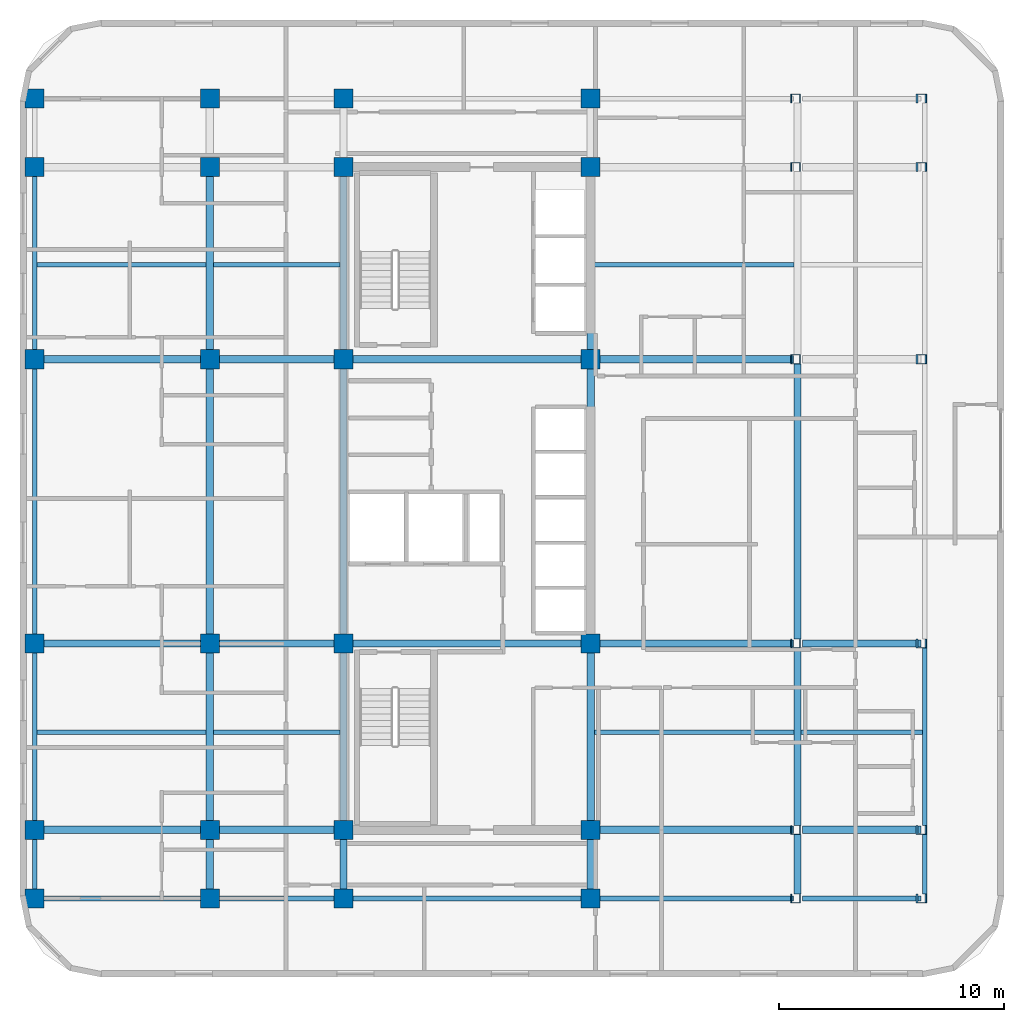
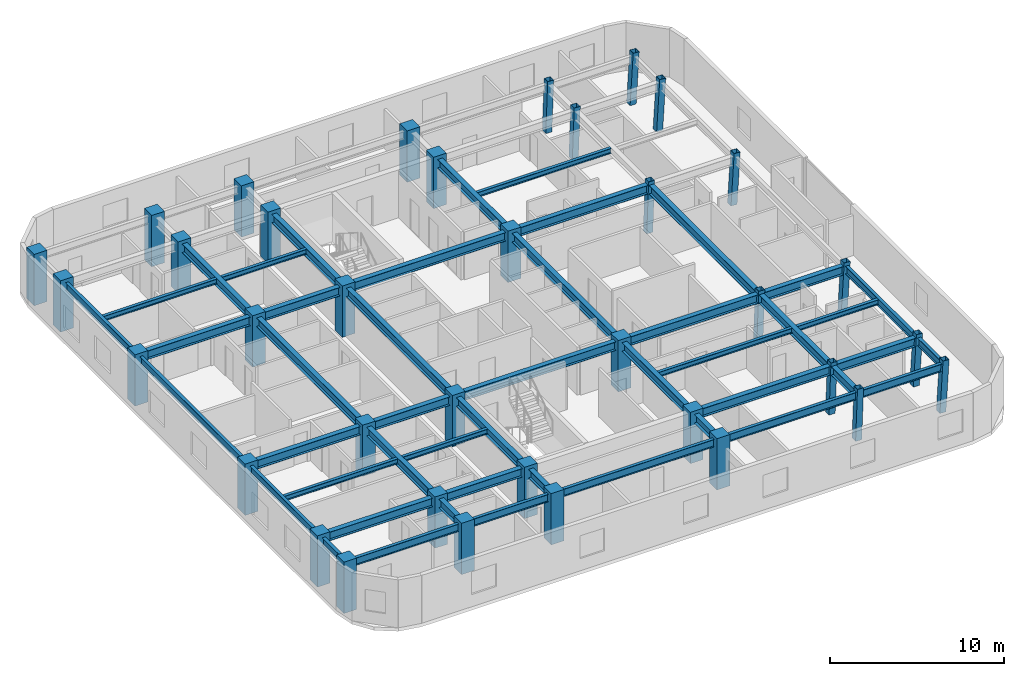
# One storey, part 1 of 9: 46 beams, 36 columns.
"""IFC4 building model written with IfcOpenShell, lengths in metres."""

from ifc_helpers import new_model, si_unit, direction, frame, origin, origin_2d, place, context, subcontext, project, spatial, rectangle, hollow_rectangle, i_section, extrude, material, material_profile, profile_set, type_object, element, save


model = new_model("IFC4")

# Units and contexts
model_context = context("Model", 3, precision=1e-05, world=origin(), true_north=direction((0.0, 1.0)))
body_context = subcontext(model_context, "Body", "Model", "MODEL_VIEW")
ifc_project = project(units=[si_unit("LENGTHUNIT", "METRE"), si_unit("AREAUNIT", "SQUARE_METRE"), si_unit("VOLUMEUNIT", "CUBIC_METRE"), si_unit("PLANEANGLEUNIT", "RADIAN"), si_unit("MASSUNIT", "GRAM", prefix="KILO")], contexts=[model_context])

# Site, building, storey
site_placement = place(None, origin())
site = spatial("IfcSite", under=ifc_project, at=site_placement, CompositionType="ELEMENT")
building_placement = place(site_placement, origin())
building = spatial("IfcBuilding", under=site, at=building_placement, Name="Ochreholt Gables", CompositionType="ELEMENT")
storey_placement = place(building_placement, frame((0.0, 0.0, 124.800048828125)))
storey = spatial("IfcBuildingStorey", under=building, at=storey_placement, Name="L32", CompositionType="ELEMENT", Elevation=124.800048828125)

# Columns
ifc_material_1 = material(Name="Steel CSA G40.21 350W", Category="steel")
ifc_material_profile_1 = material_profile(ifc_material_1, hollow_rectangle(XDim=0.406005859375, YDim=0.406005859375, WallThickness=0.01611328125, at=origin_2d()), Name="HSS406X406X16")
ifc_profile_set_1 = profile_set([ifc_material_profile_1], Name="Steel CSA G40.21 350W")
column_type_1 = type_object("IfcColumnType", Name="COL-HSS406-RAK", PredefinedType="COLUMN", material=ifc_profile_set_1)
for number, where, z_axis, x_axis, name in (
    (1, (44.303955078125, 9.25, 0.0), (0.034973505036, 0.0, 0.999388239847), (0.0, 1.0, 0.0), "L32 Column EMY2"),
    (2, (44.303955078125, 17.550048828125, 0.0), (0.034973505036, 0.0, 0.999388239847), (0.0, 1.0, 0.0), "L32 Column EMY3"),
    (3, (44.303955078125, 30.199951171875, 0.0), (0.034973505036, 0.0, 0.999388239847), (0.0, 1.0, 0.0), "L32 Column EMY4"),
    (4, (44.303955078125, 38.75, 0.0), (0.034973505036, 0.0, 0.999388239847), (0.0, 1.0, 0.0), "L32 Column EMY5"),
):
    element("IfcColumn", number, at=place(storey_placement, frame(where, z_axis=z_axis, x_axis=x_axis)), inside=storey, type_object=column_type_1, Name=name, PredefinedType="COLUMN", context=body_context, shape_type="SweptSolid", body=[
        extrude(hollow_rectangle(XDim=0.406005859375, YDim=0.406005859375, WallThickness=0.01611328125, at=origin_2d()), origin(), (0.0, 0.0, 1.0), 3.60205078125),
    ])
ifc_material_profile_2 = material_profile(ifc_material_1, hollow_rectangle(XDim=0.406005859375, YDim=0.406005859375, WallThickness=0.01611328125, at=origin_2d()), Name="HSS406X406X16")
ifc_profile_set_2 = profile_set([ifc_material_profile_2], Name="Steel CSA G40.21 350W")
column_type_2 = type_object("IfcColumnType", Name="COL-HSS406-RAKE", PredefinedType="COLUMN", material=ifc_profile_set_2)
for number, where, z_axis, x_axis, name in (
    (5, (44.303955078125, 6.199951171875, 0.0), (0.034973505036, 0.0, 0.999388239847), (0.0, 1.0, 0.0), "L32 Column EMY1"),
    (6, (44.303955078125, 41.800048828125, 0.0), (0.034973505036, 0.0, 0.999388239847), (0.0, 1.0, 0.0), "L32 Column EMY6"),
):
    element("IfcColumn", number, at=place(storey_placement, frame(where, z_axis=z_axis, x_axis=x_axis)), inside=storey, type_object=column_type_2, Name=name, PredefinedType="COLUMN", context=body_context, shape_type="SweptSolid", body=[
        extrude(hollow_rectangle(XDim=0.406005859375, YDim=0.406005859375, WallThickness=0.01611328125, at=origin_2d()), origin(), (0.0, 0.0, 1.0), 3.60205078125),
    ])
for number, where, z_axis, x_axis, name in (
    (7, (49.895263671875, 6.199951171875, 0.0), (0.057888518877, 0.0, 0.998323053617), (0.0, 1.0, 0.0), "L32 Column EEY1"),
    (8, (49.895263671875, 9.25, 0.0), (0.057888518877, 0.0, 0.998323053617), (0.0, 1.0, 0.0), "L32 Column EEY2"),
    (9, (49.895263671875, 17.550048828125, 0.0), (0.057888518877, 0.0, 0.998323053617), (0.0, 1.0, 0.0), "L32 Column EEY3"),
    (10, (49.895263671875, 30.199951171875, 0.0), (0.057888518877, 0.0, 0.998323053617), (0.0, 1.0, 0.0), "L32 Column EEY4"),
    (11, (49.895263671875, 38.75, 0.0), (0.057888518877, 0.0, 0.998323053617), (0.0, 1.0, 0.0), "L32 Column EEY5"),
    (12, (49.895263671875, 41.800048828125, 0.0), (0.057888518877, 0.0, 0.998323053617), (0.0, 1.0, 0.0), "L32 Column EEY6"),
):
    element("IfcColumn", number, at=place(storey_placement, frame(where, z_axis=z_axis, x_axis=x_axis)), inside=storey, type_object=column_type_2, Name=name, PredefinedType="COLUMN", context=body_context, shape_type="SweptSolid", body=[
        extrude(hollow_rectangle(XDim=0.406005859375, YDim=0.406005859375, WallThickness=0.01611328125, at=origin_2d()), origin(), (0.0, 0.0, 1.0), 3.60595703125),
    ])
ifc_material_2 = material(Name="Concrete 60 MPa", Category="concrete")
ifc_material_profile_3 = material_profile(ifc_material_2, rectangle(XDim=0.85009765625, YDim=0.85009765625, at=origin_2d()), Name="RC850X850")
ifc_profile_set_3 = profile_set([ifc_material_profile_3], Name="Concrete 60 MPa")
column_type_3 = type_object("IfcColumnType", Name="COL-RC850-EXT", PredefinedType="COLUMN", material=ifc_profile_set_3)
for number, where, z_axis, x_axis, name in (
    (13, (10.449951171875, 6.199951171875, 0.0), (0.0, 0.0, 1.0), (1.0, 0.0, 0.0), "L32 Column W2Y1"),
    (14, (10.449951171875, 9.25, 0.0), (0.0, 0.0, 1.0), (1.0, 0.0, 0.0), "L32 Column W2Y2"),
    (15, (10.449951171875, 17.550048828125, 0.0), (0.0, 0.0, 1.0), (1.0, 0.0, 0.0), "L32 Column W2Y3"),
    (16, (10.449951171875, 30.199951171875, 0.0), (0.0, 0.0, 1.0), (1.0, 0.0, 0.0), "L32 Column W2Y4"),
    (17, (10.449951171875, 38.75, 0.0), (0.0, 0.0, 1.0), (1.0, 0.0, 0.0), "L32 Column W2Y5"),
    (18, (10.449951171875, 41.800048828125, 0.0), (0.0, 0.0, 1.0), (1.0, 0.0, 0.0), "L32 Column W2Y6"),
    (19, (18.25, 6.199951171875, 0.0), (0.0, 0.0, 1.0), (1.0, 0.0, 0.0), "L32 Column W3Y1"),
    (20, (18.25, 41.800048828125, 0.0), (0.0, 0.0, 1.0), (1.0, 0.0, 0.0), "L32 Column W3Y6"),
    (21, (24.199951171875, 6.199951171875, 0.0), (0.0, 0.0, 1.0), (1.0, 0.0, 0.0), "L32 Column C1Y1"),
    (22, (24.199951171875, 41.800048828125, 0.0), (0.0, 0.0, 1.0), (1.0, 0.0, 0.0), "L32 Column C1Y6"),
    (23, (35.199951171875, 6.199951171875, 0.0), (0.0, 0.0, 1.0), (1.0, 0.0, 0.0), "L32 Column C2Y1"),
    (24, (35.199951171875, 41.800048828125, 0.0), (0.0, 0.0, 1.0), (1.0, 0.0, 0.0), "L32 Column C2Y6"),
):
    element("IfcColumn", number, at=place(storey_placement, frame(where, z_axis=z_axis, x_axis=x_axis)), inside=storey, type_object=column_type_3, Name=name, PredefinedType="COLUMN", context=body_context, shape_type="SweptSolid", body=[
        extrude(rectangle(XDim=0.85009765625, YDim=0.85009765625, at=origin_2d()), origin(), (0.0, 0.0, 1.0), 3.599853515625),
    ])
ifc_material_profile_4 = material_profile(ifc_material_2, rectangle(XDim=0.85009765625, YDim=0.85009765625, at=origin_2d()), Name="RC850X850")
ifc_profile_set_4 = profile_set([ifc_material_profile_4], Name="Concrete 60 MPa")
column_type_4 = type_object("IfcColumnType", Name="COL-RC850-INT", PredefinedType="COLUMN", material=ifc_profile_set_4)
for number, where, z_axis, x_axis, name in (
    (25, (18.25, 9.25, 0.0), (0.0, 0.0, 1.0), (1.0, 0.0, 0.0), "L32 Column W3Y2"),
    (26, (18.25, 17.550048828125, 0.0), (0.0, 0.0, 1.0), (1.0, 0.0, 0.0), "L32 Column W3Y3"),
    (27, (18.25, 30.199951171875, 0.0), (0.0, 0.0, 1.0), (1.0, 0.0, 0.0), "L32 Column W3Y4"),
    (28, (18.25, 38.75, 0.0), (0.0, 0.0, 1.0), (1.0, 0.0, 0.0), "L32 Column W3Y5"),
    (29, (24.199951171875, 9.25, 0.0), (0.0, 0.0, 1.0), (1.0, 0.0, 0.0), "L32 Column C1Y2"),
    (30, (24.199951171875, 17.550048828125, 0.0), (0.0, 0.0, 1.0), (1.0, 0.0, 0.0), "L32 Column C1Y3"),
    (31, (24.199951171875, 30.199951171875, 0.0), (0.0, 0.0, 1.0), (1.0, 0.0, 0.0), "L32 Column C1Y4"),
    (32, (24.199951171875, 38.75, 0.0), (0.0, 0.0, 1.0), (1.0, 0.0, 0.0), "L32 Column C1Y5"),
    (33, (35.199951171875, 9.25, 0.0), (0.0, 0.0, 1.0), (1.0, 0.0, 0.0), "L32 Column C2Y2"),
    (34, (35.199951171875, 17.550048828125, 0.0), (0.0, 0.0, 1.0), (1.0, 0.0, 0.0), "L32 Column C2Y3"),
    (35, (35.199951171875, 30.199951171875, 0.0), (0.0, 0.0, 1.0), (1.0, 0.0, 0.0), "L32 Column C2Y4"),
    (36, (35.199951171875, 38.75, 0.0), (0.0, 0.0, 1.0), (1.0, 0.0, 0.0), "L32 Column C2Y5"),
):
    element("IfcColumn", number, at=place(storey_placement, frame(where, z_axis=z_axis, x_axis=x_axis)), inside=storey, type_object=column_type_4, Name=name, PredefinedType="COLUMN", context=body_context, shape_type="SweptSolid", body=[
        extrude(rectangle(XDim=0.85009765625, YDim=0.85009765625, at=origin_2d()), origin(), (0.0, 0.0, 1.0), 3.599853515625),
    ])

# Beams
ifc_material_profile_5 = material_profile(ifc_material_1, i_section(OverallWidth=0.323974609375, OverallDepth=0.611083984375, WebThickness=0.0126953125, FlangeThickness=0.01904296875, at=origin_2d()), Name="W610X155")
ifc_profile_set_5 = profile_set([ifc_material_profile_5], Name="Steel CSA G40.21 350W")
beam_type_1 = type_object("IfcBeamType", Name="BM-G-W610A", PredefinedType="BEAM", material=ifc_profile_set_5)
beam_1_placement = place(storey_placement, frame((10.87451171875, 9.25, 3.054443359375), z_axis=(1.0, 0.0, 0.0), x_axis=(0.0, 1.0, 0.0)))
element("IfcBeam", 37, at=beam_1_placement, inside=storey, type_object=beam_type_1, Name="L32 Beam TBG-L32-W2W3-Y2", PredefinedType="BEAM", context=body_context, shape_type="SweptSolid", body=[
    extrude(i_section(OverallWidth=0.323974609375, OverallDepth=0.611083984375, WebThickness=0.0126953125, FlangeThickness=0.01904296875, at=origin_2d()), origin(), (0.0, 0.0, 1.0), 6.950927734375),
])
beam_2_placement = place(storey_placement, frame((18.674560546875, 9.25, 3.054443359375), z_axis=(1.0, 0.0, 0.0), x_axis=(0.0, 1.0, 0.0)))
element("IfcBeam", 38, at=beam_2_placement, inside=storey, type_object=beam_type_1, Name="L32 Beam TBG-L32-W3C1-Y2", PredefinedType="BEAM", context=body_context, shape_type="SweptSolid", body=[
    extrude(i_section(OverallWidth=0.323974609375, OverallDepth=0.611083984375, WebThickness=0.0126953125, FlangeThickness=0.01904296875, at=origin_2d()), origin(), (0.0, 0.0, 1.0), 5.100830078125),
])
beam_3_placement = place(storey_placement, frame((35.62451171875, 9.25, 3.054443359375), z_axis=(1.0, 0.0, 0.0), x_axis=(0.0, 1.0, 0.0)))
element("IfcBeam", 39, at=beam_3_placement, inside=storey, type_object=beam_type_1, Name="L32 Beam TBG-L32-C2EM-Y2", PredefinedType="BEAM", context=body_context, shape_type="SweptSolid", body=[
    extrude(i_section(OverallWidth=0.323974609375, OverallDepth=0.611083984375, WebThickness=0.0126953125, FlangeThickness=0.01904296875, at=origin_2d()), origin(), (0.0, 0.0, 1.0), 8.602783203125),
])
beam_4_placement = place(storey_placement, frame((44.632568359375, 9.25, 3.054443359375), z_axis=(1.0, 0.0, 0.0), x_axis=(0.0, 1.0, 0.0)))
element("IfcBeam", 40, at=beam_4_placement, inside=storey, type_object=beam_type_1, Name="L32 Beam TBG-L32-EMEE-Y2", PredefinedType="BEAM", context=body_context, shape_type="SweptSolid", body=[
    extrude(i_section(OverallWidth=0.323974609375, OverallDepth=0.611083984375, WebThickness=0.0126953125, FlangeThickness=0.01904296875, at=origin_2d()), origin(), (0.0, 0.0, 1.0), 5.268798828125),
])
beam_5_placement = place(storey_placement, frame((10.87451171875, 17.550048828125, 3.054443359375), z_axis=(1.0, 0.0, 0.0), x_axis=(0.0, 1.0, 0.0)))
element("IfcBeam", 41, at=beam_5_placement, inside=storey, type_object=beam_type_1, Name="L32 Beam TBG-L32-W2W3-Y3", PredefinedType="BEAM", context=body_context, shape_type="SweptSolid", body=[
    extrude(i_section(OverallWidth=0.323974609375, OverallDepth=0.611083984375, WebThickness=0.0126953125, FlangeThickness=0.01904296875, at=origin_2d()), origin(), (0.0, 0.0, 1.0), 6.950927734375),
])
beam_6_placement = place(storey_placement, frame((18.674560546875, 17.550048828125, 3.054443359375), z_axis=(1.0, 0.0, 0.0), x_axis=(0.0, 1.0, 0.0)))
element("IfcBeam", 42, at=beam_6_placement, inside=storey, type_object=beam_type_1, Name="L32 Beam TBG-L32-W3C1-Y3", PredefinedType="BEAM", context=body_context, shape_type="SweptSolid", body=[
    extrude(i_section(OverallWidth=0.323974609375, OverallDepth=0.611083984375, WebThickness=0.0126953125, FlangeThickness=0.01904296875, at=origin_2d()), origin(), (0.0, 0.0, 1.0), 5.100830078125),
])
beam_7_placement = place(storey_placement, frame((24.62451171875, 17.550048828125, 3.054443359375), z_axis=(1.0, 0.0, 0.0), x_axis=(0.0, 1.0, 0.0)))
element("IfcBeam", 43, at=beam_7_placement, inside=storey, type_object=beam_type_1, Name="L32 Beam TBG-L32-C1C2-Y3", PredefinedType="BEAM", context=body_context, shape_type="SweptSolid", body=[
    extrude(i_section(OverallWidth=0.323974609375, OverallDepth=0.611083984375, WebThickness=0.0126953125, FlangeThickness=0.01904296875, at=origin_2d()), origin(), (0.0, 0.0, 1.0), 10.15087890625),
])
beam_8_placement = place(storey_placement, frame((35.62451171875, 17.550048828125, 3.054443359375), z_axis=(1.0, 0.0, 0.0), x_axis=(0.0, 1.0, 0.0)))
element("IfcBeam", 44, at=beam_8_placement, inside=storey, type_object=beam_type_1, Name="L32 Beam TBG-L32-C2EM-Y3", PredefinedType="BEAM", context=body_context, shape_type="SweptSolid", body=[
    extrude(i_section(OverallWidth=0.323974609375, OverallDepth=0.611083984375, WebThickness=0.0126953125, FlangeThickness=0.01904296875, at=origin_2d()), origin(), (0.0, 0.0, 1.0), 8.602783203125),
])
beam_9_placement = place(storey_placement, frame((44.632568359375, 17.550048828125, 3.054443359375), z_axis=(1.0, 0.0, 0.0), x_axis=(0.0, 1.0, 0.0)))
element("IfcBeam", 45, at=beam_9_placement, inside=storey, type_object=beam_type_1, Name="L32 Beam TBG-L32-EMEE-Y3", PredefinedType="BEAM", context=body_context, shape_type="SweptSolid", body=[
    extrude(i_section(OverallWidth=0.323974609375, OverallDepth=0.611083984375, WebThickness=0.0126953125, FlangeThickness=0.01904296875, at=origin_2d()), origin(), (0.0, 0.0, 1.0), 5.268798828125),
])
beam_10_placement = place(storey_placement, frame((10.87451171875, 30.199951171875, 3.054443359375), z_axis=(1.0, 0.0, 0.0), x_axis=(0.0, 1.0, 0.0)))
element("IfcBeam", 46, at=beam_10_placement, inside=storey, type_object=beam_type_1, Name="L32 Beam TBG-L32-W2W3-Y4", PredefinedType="BEAM", context=body_context, shape_type="SweptSolid", body=[
    extrude(i_section(OverallWidth=0.323974609375, OverallDepth=0.611083984375, WebThickness=0.0126953125, FlangeThickness=0.01904296875, at=origin_2d()), origin(), (0.0, 0.0, 1.0), 6.950927734375),
])
beam_11_placement = place(storey_placement, frame((18.674560546875, 30.199951171875, 3.054443359375), z_axis=(1.0, 0.0, 0.0), x_axis=(0.0, 1.0, 0.0)))
element("IfcBeam", 47, at=beam_11_placement, inside=storey, type_object=beam_type_1, Name="L32 Beam TBG-L32-W3C1-Y4", PredefinedType="BEAM", context=body_context, shape_type="SweptSolid", body=[
    extrude(i_section(OverallWidth=0.323974609375, OverallDepth=0.611083984375, WebThickness=0.0126953125, FlangeThickness=0.01904296875, at=origin_2d()), origin(), (0.0, 0.0, 1.0), 5.100830078125),
])
beam_12_placement = place(storey_placement, frame((24.62451171875, 30.199951171875, 3.054443359375), z_axis=(1.0, 0.0, 0.0), x_axis=(0.0, 1.0, 0.0)))
element("IfcBeam", 48, at=beam_12_placement, inside=storey, type_object=beam_type_1, Name="L32 Beam TBG-L32-C1C2-Y4", PredefinedType="BEAM", context=body_context, shape_type="SweptSolid", body=[
    extrude(i_section(OverallWidth=0.323974609375, OverallDepth=0.611083984375, WebThickness=0.0126953125, FlangeThickness=0.01904296875, at=origin_2d()), origin(), (0.0, 0.0, 1.0), 10.15087890625),
])
beam_13_placement = place(storey_placement, frame((35.62451171875, 30.199951171875, 3.054443359375), z_axis=(1.0, 0.0, 0.0), x_axis=(0.0, 1.0, 0.0)))
element("IfcBeam", 49, at=beam_13_placement, inside=storey, type_object=beam_type_1, Name="L32 Beam TBG-L32-C2EM-Y4", PredefinedType="BEAM", context=body_context, shape_type="SweptSolid", body=[
    extrude(i_section(OverallWidth=0.323974609375, OverallDepth=0.611083984375, WebThickness=0.0126953125, FlangeThickness=0.01904296875, at=origin_2d()), origin(), (0.0, 0.0, 1.0), 8.602783203125),
])
beam_14_placement = place(storey_placement, frame((18.25, 6.62451171875, 3.054443359375), z_axis=(0.0, 1.0, 0.0), x_axis=(-1.0, 0.0, 0.0)))
element("IfcBeam", 50, at=beam_14_placement, inside=storey, type_object=beam_type_1, Name="L32 Beam TBN-L32-W3-Y1Y2", PredefinedType="BEAM", context=body_context, shape_type="SweptSolid", body=[
    extrude(i_section(OverallWidth=0.323974609375, OverallDepth=0.611083984375, WebThickness=0.0126953125, FlangeThickness=0.01904296875, at=origin_2d()), origin(), (0.0, 0.0, 1.0), 2.200927734375),
])
beam_15_placement = place(storey_placement, frame((18.25, 9.674560546875, 3.054443359375), z_axis=(0.0, 1.0, 0.0), x_axis=(-1.0, 0.0, 0.0)))
element("IfcBeam", 51, at=beam_15_placement, inside=storey, type_object=beam_type_1, Name="L32 Beam TBN-L32-W3-Y2Y3", PredefinedType="BEAM", context=body_context, shape_type="SweptSolid", body=[
    extrude(i_section(OverallWidth=0.323974609375, OverallDepth=0.611083984375, WebThickness=0.0126953125, FlangeThickness=0.01904296875, at=origin_2d()), origin(), (0.0, 0.0, 1.0), 7.450927734375),
])
beam_16_placement = place(storey_placement, frame((18.25, 17.974609375, 3.054443359375), z_axis=(0.0, 1.0, 0.0), x_axis=(-1.0, 0.0, 0.0)))
element("IfcBeam", 52, at=beam_16_placement, inside=storey, type_object=beam_type_1, Name="L32 Beam TBN-L32-W3-Y3Y4", PredefinedType="BEAM", context=body_context, shape_type="SweptSolid", body=[
    extrude(i_section(OverallWidth=0.323974609375, OverallDepth=0.611083984375, WebThickness=0.0126953125, FlangeThickness=0.01904296875, at=origin_2d()), origin(), (0.0, 0.0, 1.0), 11.80078125),
])
beam_17_placement = place(storey_placement, frame((18.25, 30.62451171875, 3.054443359375), z_axis=(0.0, 1.0, 0.0), x_axis=(-1.0, 0.0, 0.0)))
element("IfcBeam", 53, at=beam_17_placement, inside=storey, type_object=beam_type_1, Name="L32 Beam TBN-L32-W3-Y4Y5", PredefinedType="BEAM", context=body_context, shape_type="SweptSolid", body=[
    extrude(i_section(OverallWidth=0.323974609375, OverallDepth=0.611083984375, WebThickness=0.0126953125, FlangeThickness=0.01904296875, at=origin_2d()), origin(), (0.0, 0.0, 1.0), 7.700927734375),
])
beam_18_placement = place(storey_placement, frame((24.199951171875, 6.62451171875, 3.054443359375), z_axis=(0.0, 1.0, 0.0), x_axis=(-1.0, 0.0, 0.0)))
element("IfcBeam", 54, at=beam_18_placement, inside=storey, type_object=beam_type_1, Name="L32 Beam TBN-L32-C1-Y1Y2", PredefinedType="BEAM", context=body_context, shape_type="SweptSolid", body=[
    extrude(i_section(OverallWidth=0.323974609375, OverallDepth=0.611083984375, WebThickness=0.0126953125, FlangeThickness=0.01904296875, at=origin_2d()), origin(), (0.0, 0.0, 1.0), 2.200927734375),
])
beam_19_placement = place(storey_placement, frame((24.199951171875, 9.674560546875, 3.054443359375), z_axis=(0.0, 1.0, 0.0), x_axis=(-1.0, 0.0, 0.0)))
element("IfcBeam", 55, at=beam_19_placement, inside=storey, type_object=beam_type_1, Name="L32 Beam TBN-L32-C1-Y2Y3", PredefinedType="BEAM", context=body_context, shape_type="SweptSolid", body=[
    extrude(i_section(OverallWidth=0.323974609375, OverallDepth=0.611083984375, WebThickness=0.0126953125, FlangeThickness=0.01904296875, at=origin_2d()), origin(), (0.0, 0.0, 1.0), 7.450927734375),
])
beam_20_placement = place(storey_placement, frame((24.199951171875, 17.974609375, 3.054443359375), z_axis=(0.0, 1.0, 0.0), x_axis=(-1.0, 0.0, 0.0)))
element("IfcBeam", 56, at=beam_20_placement, inside=storey, type_object=beam_type_1, Name="L32 Beam TBN-L32-C1-Y3Y4", PredefinedType="BEAM", context=body_context, shape_type="SweptSolid", body=[
    extrude(i_section(OverallWidth=0.323974609375, OverallDepth=0.611083984375, WebThickness=0.0126953125, FlangeThickness=0.01904296875, at=origin_2d()), origin(), (0.0, 0.0, 1.0), 11.80078125),
])
beam_21_placement = place(storey_placement, frame((24.199951171875, 30.62451171875, 3.054443359375), z_axis=(0.0, 1.0, 0.0), x_axis=(-1.0, 0.0, 0.0)))
element("IfcBeam", 57, at=beam_21_placement, inside=storey, type_object=beam_type_1, Name="L32 Beam TBN-L32-C1-Y4Y5", PredefinedType="BEAM", context=body_context, shape_type="SweptSolid", body=[
    extrude(i_section(OverallWidth=0.323974609375, OverallDepth=0.611083984375, WebThickness=0.0126953125, FlangeThickness=0.01904296875, at=origin_2d()), origin(), (0.0, 0.0, 1.0), 7.700927734375),
])
beam_22_placement = place(storey_placement, frame((35.199951171875, 6.62451171875, 3.054443359375), z_axis=(0.0, 1.0, 0.0), x_axis=(-1.0, 0.0, 0.0)))
element("IfcBeam", 58, at=beam_22_placement, inside=storey, type_object=beam_type_1, Name="L32 Beam TBN-L32-C2-Y1Y2", PredefinedType="BEAM", context=body_context, shape_type="SweptSolid", body=[
    extrude(i_section(OverallWidth=0.323974609375, OverallDepth=0.611083984375, WebThickness=0.0126953125, FlangeThickness=0.01904296875, at=origin_2d()), origin(), (0.0, 0.0, 1.0), 2.200927734375),
])
beam_23_placement = place(storey_placement, frame((35.199951171875, 9.674560546875, 3.054443359375), z_axis=(0.0, 1.0, 0.0), x_axis=(-1.0, 0.0, 0.0)))
element("IfcBeam", 59, at=beam_23_placement, inside=storey, type_object=beam_type_1, Name="L32 Beam TBN-L32-C2-Y2Y3", PredefinedType="BEAM", context=body_context, shape_type="SweptSolid", body=[
    extrude(i_section(OverallWidth=0.323974609375, OverallDepth=0.611083984375, WebThickness=0.0126953125, FlangeThickness=0.01904296875, at=origin_2d()), origin(), (0.0, 0.0, 1.0), 7.450927734375),
])
beam_24_placement = place(storey_placement, frame((35.199951171875, 17.974609375, 3.054443359375), z_axis=(0.0, 1.0, 0.0), x_axis=(-1.0, 0.0, 0.0)))
element("IfcBeam", 60, at=beam_24_placement, inside=storey, type_object=beam_type_1, Name="L32 Beam TBN-L32-C2-Y3Y4", PredefinedType="BEAM", context=body_context, shape_type="SweptSolid", body=[
    extrude(i_section(OverallWidth=0.323974609375, OverallDepth=0.611083984375, WebThickness=0.0126953125, FlangeThickness=0.01904296875, at=origin_2d()), origin(), (0.0, 0.0, 1.0), 11.80078125),
])
beam_25_placement = place(storey_placement, frame((35.199951171875, 30.62451171875, 3.054443359375), z_axis=(0.0, 1.0, 0.0), x_axis=(-1.0, 0.0, 0.0)))
element("IfcBeam", 61, at=beam_25_placement, inside=storey, type_object=beam_type_1, Name="L32 Beam TBN-L32-C2-Y4Y5", PredefinedType="BEAM", context=body_context, shape_type="SweptSolid", body=[
    extrude(i_section(OverallWidth=0.323974609375, OverallDepth=0.611083984375, WebThickness=0.0126953125, FlangeThickness=0.01904296875, at=origin_2d()), origin(), (0.0, 0.0, 1.0), 7.700927734375),
])
beam_26_placement = place(storey_placement, frame((44.412841796875, 6.402587890625, 3.054443359375), z_axis=(0.0, 1.0, 0.0), x_axis=(-1.0, 0.0, 0.0)))
element("IfcBeam", 62, at=beam_26_placement, inside=storey, type_object=beam_type_1, Name="L32 Beam TBN-L32-EM-Y1Y2", PredefinedType="BEAM", context=body_context, shape_type="SweptSolid", body=[
    extrude(i_section(OverallWidth=0.323974609375, OverallDepth=0.611083984375, WebThickness=0.0126953125, FlangeThickness=0.01904296875, at=origin_2d()), origin(), (0.0, 0.0, 1.0), 2.644775390625),
])
beam_27_placement = place(storey_placement, frame((44.412841796875, 9.45263671875, 3.054443359375), z_axis=(0.0, 1.0, 0.0), x_axis=(-1.0, 0.0, 0.0)))
element("IfcBeam", 63, at=beam_27_placement, inside=storey, type_object=beam_type_1, Name="L32 Beam TBN-L32-EM-Y2Y3", PredefinedType="BEAM", context=body_context, shape_type="SweptSolid", body=[
    extrude(i_section(OverallWidth=0.323974609375, OverallDepth=0.611083984375, WebThickness=0.0126953125, FlangeThickness=0.01904296875, at=origin_2d()), origin(), (0.0, 0.0, 1.0), 7.894775390625),
])
beam_28_placement = place(storey_placement, frame((44.412841796875, 17.752685546875, 3.054443359375), z_axis=(0.0, 1.0, 0.0), x_axis=(-1.0, 0.0, 0.0)))
element("IfcBeam", 64, at=beam_28_placement, inside=storey, type_object=beam_type_1, Name="L32 Beam TBN-L32-EM-Y3Y4", PredefinedType="BEAM", context=body_context, shape_type="SweptSolid", body=[
    extrude(i_section(OverallWidth=0.323974609375, OverallDepth=0.611083984375, WebThickness=0.0126953125, FlangeThickness=0.01904296875, at=origin_2d()), origin(), (0.0, 0.0, 1.0), 12.24462890625),
])
ifc_material_profile_6 = material_profile(ifc_material_1, i_section(OverallWidth=0.205078125, OverallDepth=0.35400390625, WebThickness=0.009521484375, FlangeThickness=0.016845703125, at=origin_2d()), Name="W360X79")
ifc_profile_set_6 = profile_set([ifc_material_profile_6], Name="Steel CSA G40.21 350W")
beam_type_2 = type_object("IfcBeamType", Name="BM-J-W360A", PredefinedType="JOIST", material=ifc_profile_set_6)
beam_29_placement = place(storey_placement, frame((10.55419921875, 13.60009765625, 3.182861328125), z_axis=(1.0, 0.0, 0.0), x_axis=(0.0, 1.0, 0.0)))
element("IfcBeam", 65, at=beam_29_placement, inside=storey, type_object=beam_type_2, Name="L32 Beam TBJ-L32-J1-W2W3", PredefinedType="JOIST", context=body_context, shape_type="SweptSolid", body=[
    extrude(i_section(OverallWidth=0.205078125, OverallDepth=0.35400390625, WebThickness=0.009521484375, FlangeThickness=0.016845703125, at=origin_2d()), origin(), (0.0, 0.0, 1.0), 7.5341796875),
])
beam_30_placement = place(storey_placement, frame((18.41162109375, 13.60009765625, 3.182861328125), z_axis=(1.0, 0.0, 0.0), x_axis=(0.0, 1.0, 0.0)))
element("IfcBeam", 66, at=beam_30_placement, inside=storey, type_object=beam_type_2, Name="L32 Beam TBJ-L32-J1-W3C1", PredefinedType="JOIST", context=body_context, shape_type="SweptSolid", body=[
    extrude(i_section(OverallWidth=0.205078125, OverallDepth=0.35400390625, WebThickness=0.009521484375, FlangeThickness=0.016845703125, at=origin_2d()), origin(), (0.0, 0.0, 1.0), 5.626708984375),
])
beam_31_placement = place(storey_placement, frame((35.361572265625, 13.60009765625, 3.182861328125), z_axis=(1.0, 0.0, 0.0), x_axis=(0.0, 1.0, 0.0)))
element("IfcBeam", 67, at=beam_31_placement, inside=storey, type_object=beam_type_2, Name="L32 Beam TBJ-L32-J1-C2EM", PredefinedType="JOIST", context=body_context, shape_type="SweptSolid", body=[
    extrude(i_section(OverallWidth=0.205078125, OverallDepth=0.35400390625, WebThickness=0.009521484375, FlangeThickness=0.016845703125, at=origin_2d()), origin(), (0.0, 0.0, 1.0), 8.8896484375),
])
beam_32_placement = place(storey_placement, frame((44.574462890625, 13.60009765625, 3.182861328125), z_axis=(1.0, 0.0, 0.0), x_axis=(0.0, 1.0, 0.0)))
element("IfcBeam", 68, at=beam_32_placement, inside=storey, type_object=beam_type_2, Name="L32 Beam TBJ-L32-J1-EMEE", PredefinedType="JOIST", context=body_context, shape_type="SweptSolid", body=[
    extrude(i_section(OverallWidth=0.205078125, OverallDepth=0.35400390625, WebThickness=0.009521484375, FlangeThickness=0.016845703125, at=origin_2d()), origin(), (0.0, 0.0, 1.0), 5.39697265625),
])
beam_33_placement = place(storey_placement, frame((10.55419921875, 34.39990234375, 3.182861328125), z_axis=(1.0, 0.0, 0.0), x_axis=(0.0, 1.0, 0.0)))
element("IfcBeam", 69, at=beam_33_placement, inside=storey, type_object=beam_type_2, Name="L32 Beam TBJ-L32-J2-W2W3", PredefinedType="JOIST", context=body_context, shape_type="SweptSolid", body=[
    extrude(i_section(OverallWidth=0.205078125, OverallDepth=0.35400390625, WebThickness=0.009521484375, FlangeThickness=0.016845703125, at=origin_2d()), origin(), (0.0, 0.0, 1.0), 7.5341796875),
])
beam_34_placement = place(storey_placement, frame((18.41162109375, 34.39990234375, 3.182861328125), z_axis=(1.0, 0.0, 0.0), x_axis=(0.0, 1.0, 0.0)))
element("IfcBeam", 70, at=beam_34_placement, inside=storey, type_object=beam_type_2, Name="L32 Beam TBJ-L32-J2-W3C1", PredefinedType="JOIST", context=body_context, shape_type="SweptSolid", body=[
    extrude(i_section(OverallWidth=0.205078125, OverallDepth=0.35400390625, WebThickness=0.009521484375, FlangeThickness=0.016845703125, at=origin_2d()), origin(), (0.0, 0.0, 1.0), 5.626708984375),
])
beam_35_placement = place(storey_placement, frame((35.361572265625, 34.39990234375, 3.182861328125), z_axis=(1.0, 0.0, 0.0), x_axis=(0.0, 1.0, 0.0)))
element("IfcBeam", 71, at=beam_35_placement, inside=storey, type_object=beam_type_2, Name="L32 Beam TBJ-L32-J2-C2EM", PredefinedType="JOIST", context=body_context, shape_type="SweptSolid", body=[
    extrude(i_section(OverallWidth=0.205078125, OverallDepth=0.35400390625, WebThickness=0.009521484375, FlangeThickness=0.016845703125, at=origin_2d()), origin(), (0.0, 0.0, 1.0), 8.8896484375),
])
ifc_material_profile_7 = material_profile(ifc_material_1, i_section(OverallWidth=0.208984375, OverallDepth=0.532958984375, WebThickness=0.01025390625, FlangeThickness=0.015625, at=origin_2d()), Name="W530X92")
ifc_profile_set_7 = profile_set([ifc_material_profile_7], Name="Steel CSA G40.21 350W")
beam_type_3 = type_object("IfcBeamType", Name="BM-SP-W530B", PredefinedType="SPANDREL", material=ifc_profile_set_7)
beam_36_placement = place(storey_placement, frame((10.87451171875, 6.199951171875, 3.093505859375), z_axis=(1.0, 0.0, 0.0), x_axis=(0.0, 1.0, 0.0)))
element("IfcBeam", 72, at=beam_36_placement, inside=storey, type_object=beam_type_3, Name="L32 Beam TBG-L32-W2W3-Y1", PredefinedType="SPANDREL", context=body_context, shape_type="SweptSolid", body=[
    extrude(i_section(OverallWidth=0.208984375, OverallDepth=0.532958984375, WebThickness=0.01025390625, FlangeThickness=0.015625, at=origin_2d()), origin(), (0.0, 0.0, 1.0), 6.950927734375),
])
beam_37_placement = place(storey_placement, frame((18.674560546875, 6.199951171875, 3.093505859375), z_axis=(1.0, 0.0, 0.0), x_axis=(0.0, 1.0, 0.0)))
element("IfcBeam", 73, at=beam_37_placement, inside=storey, type_object=beam_type_3, Name="L32 Beam TBG-L32-W3C1-Y1", PredefinedType="SPANDREL", context=body_context, shape_type="SweptSolid", body=[
    extrude(i_section(OverallWidth=0.208984375, OverallDepth=0.532958984375, WebThickness=0.01025390625, FlangeThickness=0.015625, at=origin_2d()), origin(), (0.0, 0.0, 1.0), 5.100830078125),
])
beam_38_placement = place(storey_placement, frame((24.62451171875, 6.199951171875, 3.093505859375), z_axis=(1.0, 0.0, 0.0), x_axis=(0.0, 1.0, 0.0)))
element("IfcBeam", 74, at=beam_38_placement, inside=storey, type_object=beam_type_3, Name="L32 Beam TBG-L32-C1C2-Y1", PredefinedType="SPANDREL", context=body_context, shape_type="SweptSolid", body=[
    extrude(i_section(OverallWidth=0.208984375, OverallDepth=0.532958984375, WebThickness=0.01025390625, FlangeThickness=0.015625, at=origin_2d()), origin(), (0.0, 0.0, 1.0), 10.15087890625),
])
beam_39_placement = place(storey_placement, frame((35.62451171875, 6.199951171875, 3.093505859375), z_axis=(1.0, 0.0, 0.0), x_axis=(0.0, 1.0, 0.0)))
element("IfcBeam", 75, at=beam_39_placement, inside=storey, type_object=beam_type_3, Name="L32 Beam TBG-L32-C2EM-Y1", PredefinedType="SPANDREL", context=body_context, shape_type="SweptSolid", body=[
    extrude(i_section(OverallWidth=0.208984375, OverallDepth=0.532958984375, WebThickness=0.01025390625, FlangeThickness=0.015625, at=origin_2d()), origin(), (0.0, 0.0, 1.0), 8.602783203125),
])
beam_40_placement = place(storey_placement, frame((44.632568359375, 6.199951171875, 3.093505859375), z_axis=(1.0, 0.0, 0.0), x_axis=(0.0, 1.0, 0.0)))
element("IfcBeam", 76, at=beam_40_placement, inside=storey, type_object=beam_type_3, Name="L32 Beam TBG-L32-EMEE-Y1", PredefinedType="SPANDREL", context=body_context, shape_type="SweptSolid", body=[
    extrude(i_section(OverallWidth=0.208984375, OverallDepth=0.532958984375, WebThickness=0.01025390625, FlangeThickness=0.015625, at=origin_2d()), origin(), (0.0, 0.0, 1.0), 5.268798828125),
])
beam_41_placement = place(storey_placement, frame((10.449951171875, 6.62451171875, 3.093505859375), z_axis=(0.0, 1.0, 0.0), x_axis=(-1.0, 0.0, 0.0)))
element("IfcBeam", 77, at=beam_41_placement, inside=storey, type_object=beam_type_3, Name="L32 Beam TBN-L32-W2-Y1Y2", PredefinedType="SPANDREL", context=body_context, shape_type="SweptSolid", body=[
    extrude(i_section(OverallWidth=0.208984375, OverallDepth=0.532958984375, WebThickness=0.01025390625, FlangeThickness=0.015625, at=origin_2d()), origin(), (0.0, 0.0, 1.0), 2.200927734375),
])
beam_42_placement = place(storey_placement, frame((10.449951171875, 9.674560546875, 3.093505859375), z_axis=(0.0, 1.0, 0.0), x_axis=(-1.0, 0.0, 0.0)))
element("IfcBeam", 78, at=beam_42_placement, inside=storey, type_object=beam_type_3, Name="L32 Beam TBN-L32-W2-Y2Y3", PredefinedType="SPANDREL", context=body_context, shape_type="SweptSolid", body=[
    extrude(i_section(OverallWidth=0.208984375, OverallDepth=0.532958984375, WebThickness=0.01025390625, FlangeThickness=0.015625, at=origin_2d()), origin(), (0.0, 0.0, 1.0), 7.450927734375),
])
beam_43_placement = place(storey_placement, frame((10.449951171875, 17.974609375, 3.093505859375), z_axis=(0.0, 1.0, 0.0), x_axis=(-1.0, 0.0, 0.0)))
element("IfcBeam", 79, at=beam_43_placement, inside=storey, type_object=beam_type_3, Name="L32 Beam TBN-L32-W2-Y3Y4", PredefinedType="SPANDREL", context=body_context, shape_type="SweptSolid", body=[
    extrude(i_section(OverallWidth=0.208984375, OverallDepth=0.532958984375, WebThickness=0.01025390625, FlangeThickness=0.015625, at=origin_2d()), origin(), (0.0, 0.0, 1.0), 11.80078125),
])
beam_44_placement = place(storey_placement, frame((10.449951171875, 30.62451171875, 3.093505859375), z_axis=(0.0, 1.0, 0.0), x_axis=(-1.0, 0.0, 0.0)))
element("IfcBeam", 80, at=beam_44_placement, inside=storey, type_object=beam_type_3, Name="L32 Beam TBN-L32-W2-Y4Y5", PredefinedType="SPANDREL", context=body_context, shape_type="SweptSolid", body=[
    extrude(i_section(OverallWidth=0.208984375, OverallDepth=0.532958984375, WebThickness=0.01025390625, FlangeThickness=0.015625, at=origin_2d()), origin(), (0.0, 0.0, 1.0), 7.700927734375),
])
beam_45_placement = place(storey_placement, frame((50.07568359375, 6.402587890625, 3.093505859375), z_axis=(0.0, 1.0, 0.0), x_axis=(-1.0, 0.0, 0.0)))
element("IfcBeam", 81, at=beam_45_placement, inside=storey, type_object=beam_type_3, Name="L32 Beam TBN-L32-EE-Y1Y2", PredefinedType="SPANDREL", context=body_context, shape_type="SweptSolid", body=[
    extrude(i_section(OverallWidth=0.208984375, OverallDepth=0.532958984375, WebThickness=0.01025390625, FlangeThickness=0.015625, at=origin_2d()), origin(), (0.0, 0.0, 1.0), 2.644775390625),
])
beam_46_placement = place(storey_placement, frame((50.07568359375, 9.45263671875, 3.093505859375), z_axis=(0.0, 1.0, 0.0), x_axis=(-1.0, 0.0, 0.0)))
element("IfcBeam", 82, at=beam_46_placement, inside=storey, type_object=beam_type_3, Name="L32 Beam TBN-L32-EE-Y2Y3", PredefinedType="SPANDREL", context=body_context, shape_type="SweptSolid", body=[
    extrude(i_section(OverallWidth=0.208984375, OverallDepth=0.532958984375, WebThickness=0.01025390625, FlangeThickness=0.015625, at=origin_2d()), origin(), (0.0, 0.0, 1.0), 7.894775390625),
])

save(model, "model.ifc")
